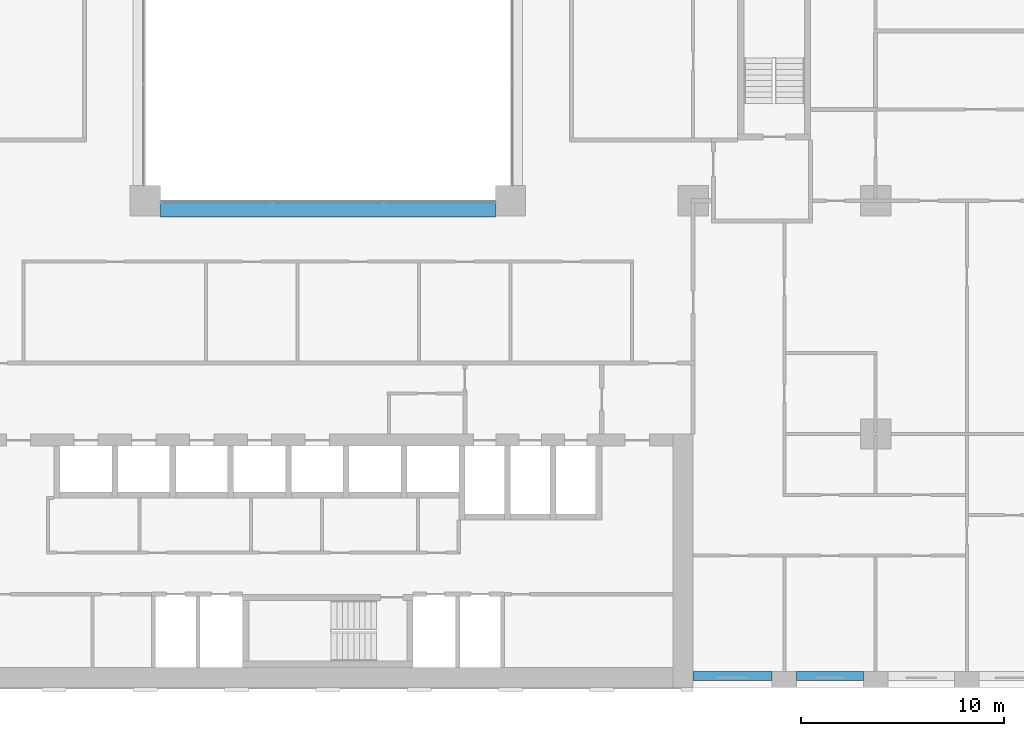
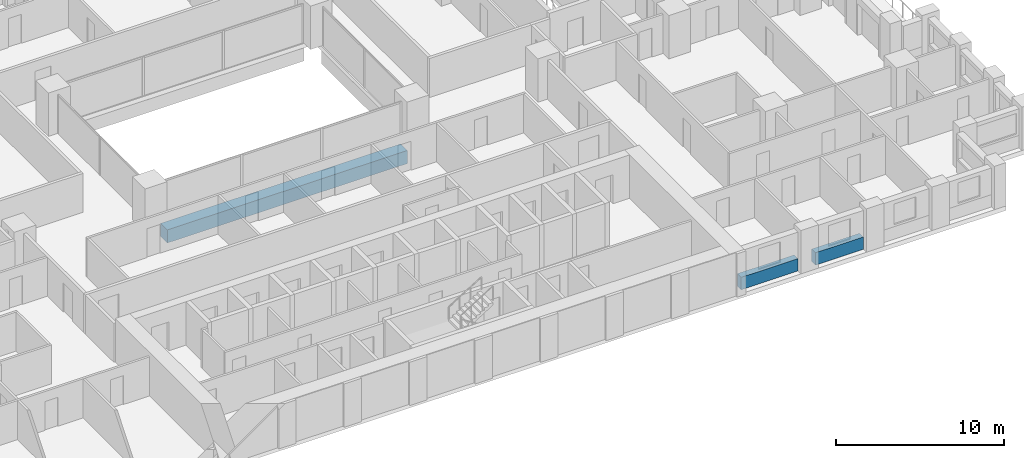
# One storey, part 3 of 21: 3 beams.
"""IFC4 building model written with IfcOpenShell, lengths in metres."""

from ifc_helpers import new_model, si_unit, direction, frame, origin, origin_2d, place, context, subcontext, project, spatial, rectangle, extrude, material, material_profile, profile_set, type_object, element, save


model = new_model("IFC4")

# Units and contexts
model_context = context("Model", 3, precision=1e-05, world=origin(), true_north=direction((0.0, 1.0)))
body_context = subcontext(model_context, "Body", "Model", "MODEL_VIEW")
ifc_project = project(units=[si_unit("LENGTHUNIT", "METRE"), si_unit("AREAUNIT", "SQUARE_METRE"), si_unit("VOLUMEUNIT", "CUBIC_METRE"), si_unit("PLANEANGLEUNIT", "RADIAN"), si_unit("MASSUNIT", "GRAM", prefix="KILO")], contexts=[model_context])

# Site, building, storey
site_placement = place(None, origin())
site = spatial("IfcSite", under=ifc_project, at=site_placement, CompositionType="ELEMENT")
building_placement = place(site_placement, origin())
building = spatial("IfcBuilding", under=site, at=building_placement, Name="Brigalow Station Residences", CompositionType="ELEMENT")
storey_placement = place(building_placement, frame((0.0, 0.0, 47.85009765625)))
storey = spatial("IfcBuildingStorey", under=building, at=storey_placement, Name="L13", CompositionType="ELEMENT", Elevation=47.85009765625)

# Beams
ifc_material_1 = material(Name="Concrete C65", Category="concrete")
ifc_material_profile_1 = material_profile(ifc_material_1, rectangle(XDim=0.800048828125, YDim=0.949951171875, at=origin_2d()), Name="RC800x950")
ifc_profile_set_1 = profile_set([ifc_material_profile_1], Name="Concrete C65")
beam_type_1 = type_object("IfcBeamType", Name="ATRIUM EDGE GIRDER OVER 13.5 M SPAN 800x950 C65", PredefinedType="BEAM", material=ifc_profile_set_1)
beam_1_placement = place(storey_placement, frame((27.75, 23.60009765625, -0.795166015625), z_axis=(1.0, 0.0, 0.0), x_axis=(0.0, 1.0, 0.0)))
element("IfcBeam", 1, at=beam_1_placement, inside=storey, type_object=beam_type_1, Name="ATRIUM EDGE GIRDER C L13", PredefinedType="BEAM", context=body_context, shape_type="SweptSolid", body=[
    extrude(rectangle(XDim=0.800048828125, YDim=0.949951171875, at=origin_2d()), origin(), (0.0, 0.0, 1.0), 16.5),
])
ifc_material_2 = material(Name="Concrete C65", Category="concrete")
ifc_material_profile_2 = material_profile(ifc_material_2, rectangle(XDim=0.449951171875, YDim=0.89990234375, at=origin_2d()), Name="RC450x900")
ifc_profile_set_2 = profile_set([ifc_material_profile_2], Name="Concrete C65")
beam_type_2 = type_object("IfcBeamType", Name="SPANDREL BEAM 450x900 C65", PredefinedType="SPANDREL", material=ifc_profile_set_2)
beam_2_placement = place(storey_placement, frame((54.0, 0.574951171875, 0.449951171875), z_axis=(1.0, 0.0, 0.0), x_axis=(0.0, 1.0, 0.0)))
element("IfcBeam", 2, at=beam_2_placement, inside=storey, type_object=beam_type_2, Name="L13/spandrel/W-L13-5", PredefinedType="SPANDREL", context=body_context, shape_type="SweptSolid", body=[
    extrude(rectangle(XDim=0.449951171875, YDim=0.89990234375, at=origin_2d()), origin(), (0.0, 0.0, 1.0), 3.89990234375),
])
beam_3_placement = place(storey_placement, frame((59.10009765625, 0.574951171875, 0.449951171875), z_axis=(1.0, 0.0, 0.0), x_axis=(0.0, 1.0, 0.0)))
element("IfcBeam", 3, at=beam_3_placement, inside=storey, type_object=beam_type_2, Name="L13/spandrel/W-L13-6", PredefinedType="SPANDREL", context=body_context, shape_type="SweptSolid", body=[
    extrude(rectangle(XDim=0.449951171875, YDim=0.89990234375, at=origin_2d()), origin(), (0.0, 0.0, 1.0), 3.2998046875),
])

save(model, "model.ifc")
